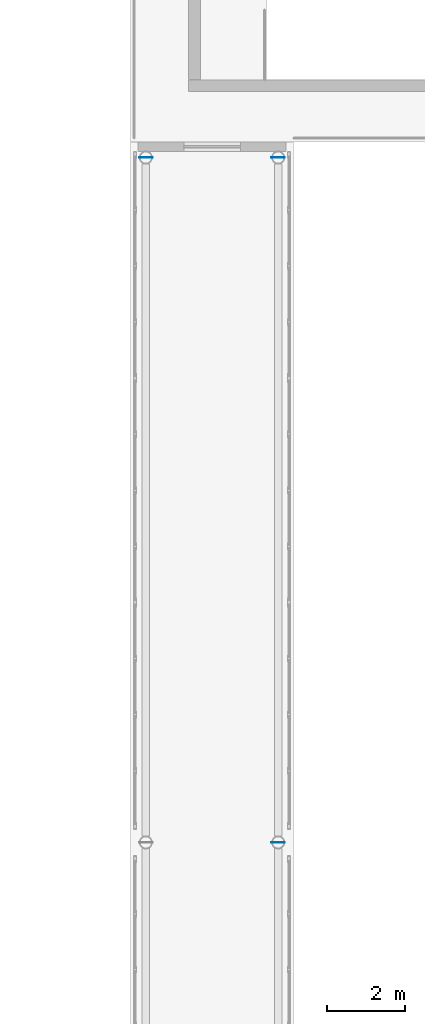
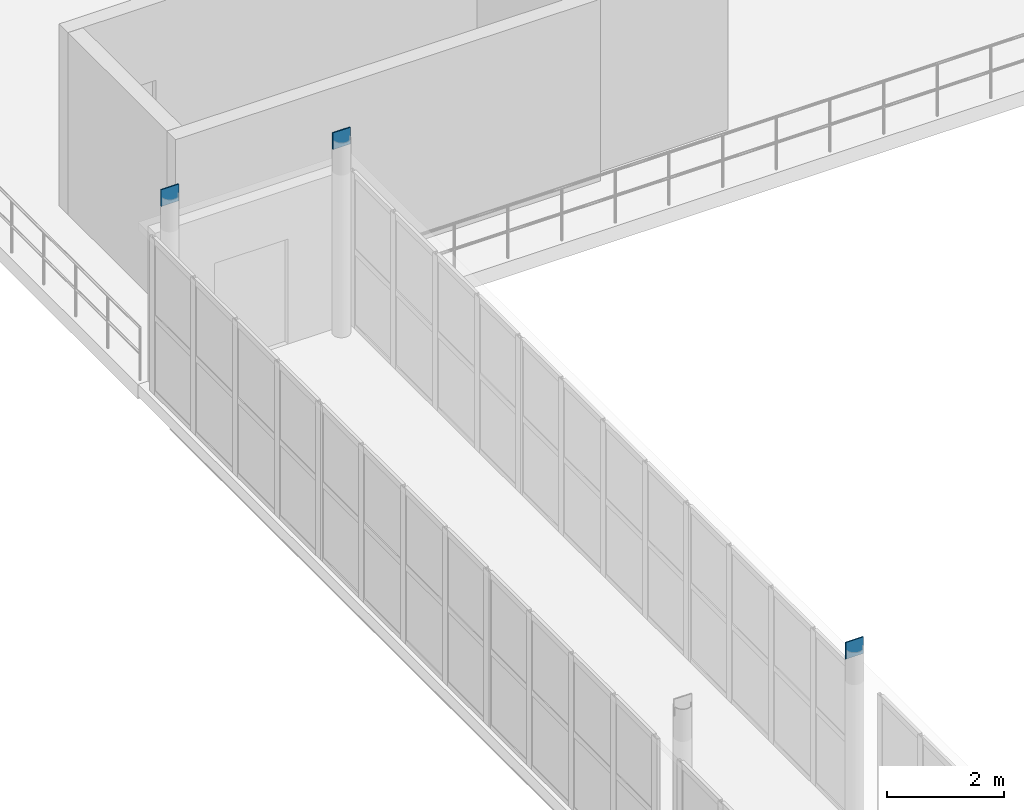
# One storey, part 45 of 52: 3 plates.
"""IFC4 building model written with IfcOpenShell, lengths in metres."""

from ifc_helpers import new_model, si_unit, direction, frame, origin, origin_2d, place, context, subcontext, project, spatial, rectangle, extrude, material, layer, layer_set, type_object, element, save


model = new_model("IFC4")

# Units and contexts
model_context = context("Model", 3, precision=1e-05, world=origin(), true_north=direction((0.0, 1.0)))
body_context = subcontext(model_context, "Body", "Model", "MODEL_VIEW")
ifc_project = project(units=[si_unit("LENGTHUNIT", "METRE"), si_unit("AREAUNIT", "SQUARE_METRE"), si_unit("VOLUMEUNIT", "CUBIC_METRE"), si_unit("PLANEANGLEUNIT", "RADIAN"), si_unit("MASSUNIT", "GRAM", prefix="KILO")], contexts=[model_context])

# Site, building, storey
site_placement = place(None, origin())
site = spatial("IfcSite", under=ifc_project, at=site_placement, CompositionType="ELEMENT")
building_placement = place(site_placement, origin())
building = spatial("IfcBuilding", under=site, at=building_placement, Name="Valcora Specialist Clinic", CompositionType="ELEMENT")
storey_placement = place(building_placement, frame((0.0, 0.0, 17.679931640625)))
storey = spatial("IfcBuildingStorey", under=building, at=storey_placement, Name="L04", CompositionType="ELEMENT", Elevation=17.679931640625)

# Plates
ifc_material = material(Name="Steel ASTM A572 Grade 50", Category="steel")
ifc_layer = layer(ifc_material, 0.02197265625)
ifc_layer_set = layer_set([ifc_layer], Name="Steel ASTM A572 Grade 50")
plate_type = type_object("IfcPlateType", Name="TY-PL-EC324", PredefinedType="USERDEFINED", material=ifc_layer_set)
for number, where, z_axis, x_axis, name in (
    (1, (61.60009765625, 73.60009765625, 3.89404296875), (0.0, 0.0, 1.0), (1.0, 0.0, 0.0), "Column end-cap plate COL-L04-0982"),
    (2, (65.0, 56.0, 3.89404296875), (0.0, 0.0, 1.0), (1.0, 0.0, 0.0), "Column end-cap plate COL-L04-1000"),
    (3, (65.0, 73.60009765625, 3.89404296875), (0.0, 0.0, 1.0), (1.0, 0.0, 0.0), "Column end-cap plate COL-L04-1006"),
):
    element("IfcPlate", number, at=place(storey_placement, frame(where, z_axis=z_axis, x_axis=x_axis)), inside=storey, type_object=plate_type, Name=name, ObjectType="FLANGE_PLATE", PredefinedType="USERDEFINED", context=body_context, shape_type="SweptSolid", body=[
        extrude(rectangle(XDim=0.35009765625, YDim=0.02197265625, at=origin_2d()), origin(), (0.0, 0.0, 1.0), 0.35009765625),
    ])

save(model, "model.ifc")
